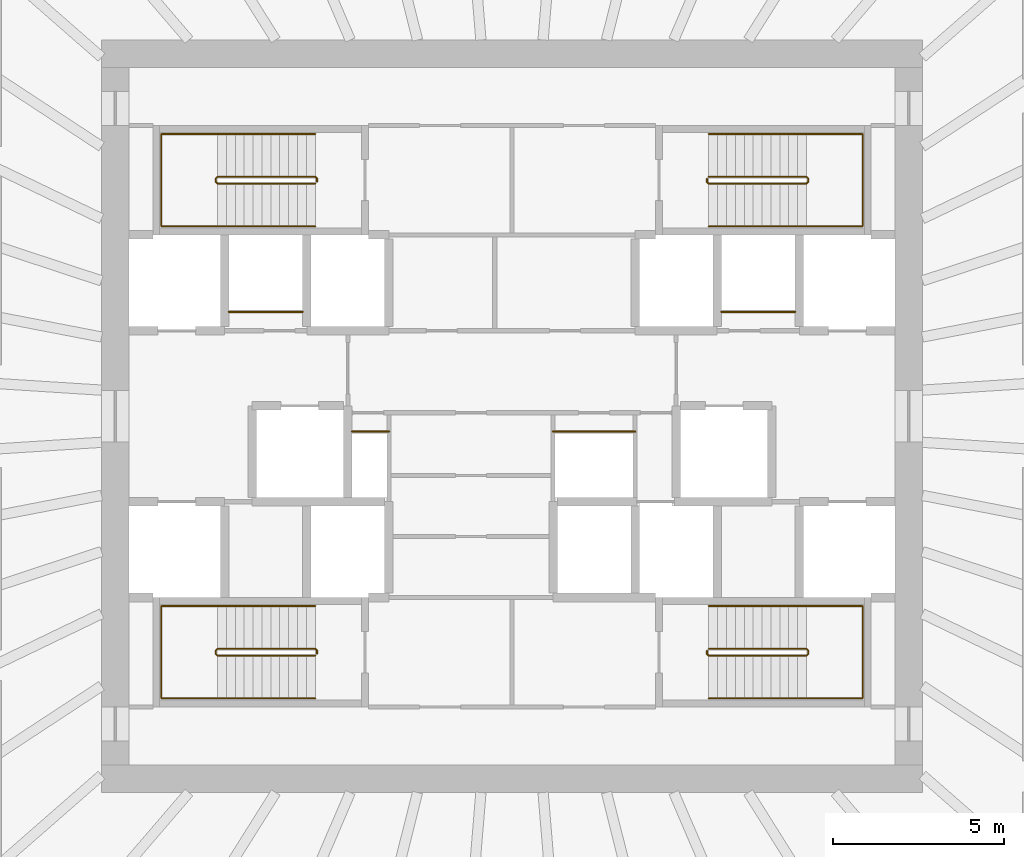
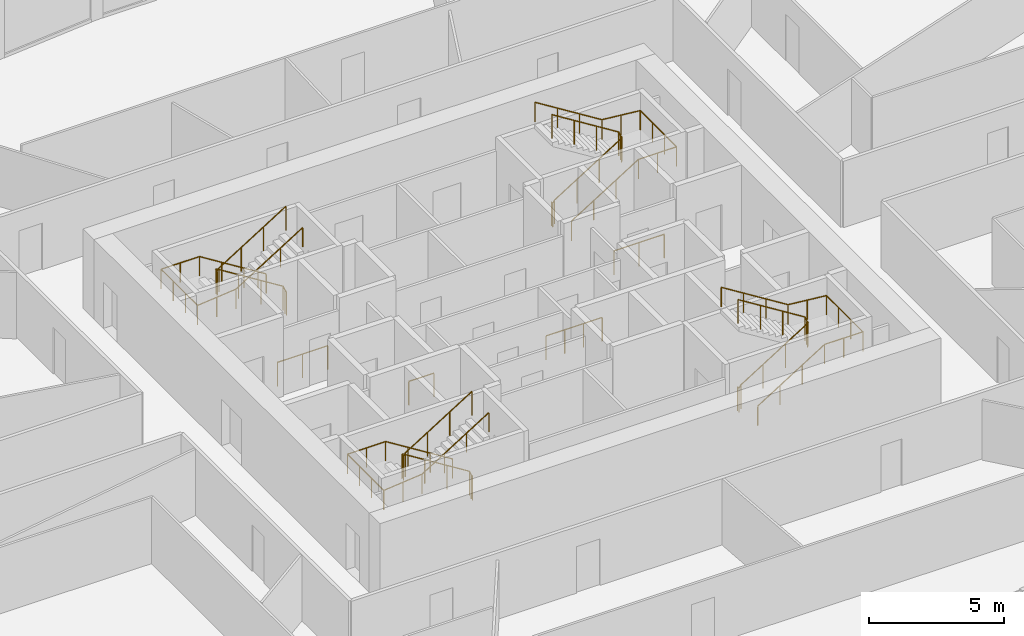
# One storey, part 12 of 12: 12 railings.
"""IFC4 building model written with IfcOpenShell, lengths in metres."""

import ifcopenshell
import ifcopenshell.guid

model = None  # the IFC model being written
_history = None  # IfcOwnerHistory: only IFC2X3 demands one
_inside = {}  # id of a spatial element -> (the spatial element, [elements in it])
_under = {}  # id of a project, library or spatial element -> (it, [spatial elements below it])
_declared = {}  # id of a project -> (the project, [libraries it declares])
_typed = {}  # id of a type object -> (the type object, [elements of that type])
_made_of = {}  # id of a material, layer set ... -> (it, [elements and type objects made of it])


def new_model(schema):
    """Start an empty IFC model of exactly this schema.

    Asked for "IFC4X3", IfcOpenShell would pick the latest addendum, in which some entities
    have other attributes; the version numbers below select the first issue.
    IFC2X3 requires an IfcOwnerHistory on every rooted entity: one is made here for all.
    """
    global model, _history
    if schema == "IFC4X3":
        model = ifcopenshell.file(schema_version=(4, 3, 0, 0))
    else:
        model = ifcopenshell.file(schema=schema)
    _inside.clear()
    _under.clear()
    _declared.clear()
    _typed.clear()
    _made_of.clear()
    _history = None
    if model.schema == "IFC2X3":
        org = make("IfcOrganization", Name="unknown")
        user = make(
            "IfcPersonAndOrganization",
            ThePerson=make("IfcPerson", FamilyName="unknown"),
            TheOrganization=org,
        )
        app = make(
            "IfcApplication",
            ApplicationDeveloper=org,
            Version="unknown",
            ApplicationFullName="unknown",
            ApplicationIdentifier="unknown",
        )
        _history = make(
            "IfcOwnerHistory",
            OwningUser=user,
            OwningApplication=app,
            ChangeAction="ADDED",
            CreationDate=0,
        )
    return model


def make(cls, **values):
    """One entity of the class cls with the attributes given. An attribute that is None is left unset."""
    return model.create_entity(
        cls, **{name: value for name, value in values.items() if value is not None}
    )


def rooted(cls, **values):
    """An entity with a GlobalId (a new one), such as an element, a storey or a relation."""
    return make(cls, GlobalId=ifcopenshell.guid.new(), OwnerHistory=_history, **values)


def si_unit(unit_type, name, prefix=None):
    """IfcSIUnit, for example si_unit("LENGTHUNIT", "METRE", prefix="MILLI")."""
    return make("IfcSIUnit", UnitType=unit_type, Prefix=prefix, Name=name)


def assignment(units):
    """IfcUnitAssignment: the units of a project."""
    return None if units is None else make("IfcUnitAssignment", Units=units)


def point(xyz):
    """IfcCartesianPoint."""
    return None if xyz is None else make("IfcCartesianPoint", Coordinates=xyz)


def direction(xyz):
    """IfcDirection."""
    return None if xyz is None else make("IfcDirection", DirectionRatios=xyz)


def frame(location, z_axis=None, x_axis=None):
    """IfcAxis2Placement3D, a coordinate frame: its origin and axes. An axis left out is left unset."""
    return make(
        "IfcAxis2Placement3D",
        Location=point(location),
        Axis=direction(z_axis),
        RefDirection=direction(x_axis),
    )


def frame_2d(location, x_axis=None):
    """IfcAxis2Placement2D, a coordinate frame in the plane: its origin and x axis."""
    return make(
        "IfcAxis2Placement2D", Location=point(location), RefDirection=direction(x_axis)
    )


def origin():
    """The frame at (0, 0, 0) with its axes left unset."""
    return frame((0.0, 0.0, 0.0))


def origin_2d():
    """The frame at (0, 0) in the plane with its x axis left unset."""
    return frame_2d((0.0, 0.0))


def place(relative_to, where):
    """IfcLocalPlacement: puts the frame where relative to a parent placement (None: the world)."""
    return make(
        "IfcLocalPlacement", PlacementRelTo=relative_to, RelativePlacement=where
    )


def context(
    kind, dimensions, precision=None, world=None, true_north=None, identifier=None
):
    """IfcGeometricRepresentationContext, for example the 3D "Model" context."""
    return make(
        "IfcGeometricRepresentationContext",
        ContextIdentifier=identifier,
        ContextType=kind,
        CoordinateSpaceDimension=dimensions,
        Precision=precision,
        WorldCoordinateSystem=world,
        TrueNorth=true_north,
    )


def subcontext(parent, identifier, kind, view, scale=None):
    """IfcGeometricRepresentationSubContext, for example "Body" below "Model"."""
    return make(
        "IfcGeometricRepresentationSubContext",
        ContextIdentifier=identifier,
        ContextType=kind,
        ParentContext=parent,
        TargetScale=scale,
        TargetView=view,
    )


def project(units=None, contexts=None):
    """IfcProject with its units and contexts."""
    return rooted(
        "IfcProject",
        Name="project",
        RepresentationContexts=contexts,
        UnitsInContext=assignment(units),
    )


def spatial(cls, under=None, at=None, **own):
    """A site, building, storey or space (cls), placed at a placement, below another one or the project."""
    s = rooted(cls, ObjectPlacement=at, **own)
    if under is not None:
        _under.setdefault(under.id(), (under, []))[1].append(s)
    return s


def profile(cls, at=None, kind="AREA", **sizes):
    """A parametric profile (cls). Its sizes go by their IFC names, for example OverallWidth=200.0."""
    return make(cls, ProfileType=kind, Position=at, **sizes)


def circle(**sizes):
    """IfcCircleProfileDef."""
    return profile("IfcCircleProfileDef", **sizes)


def extrude(swept, where, along, depth):
    """IfcExtrudedAreaSolid: the profile swept, set in the frame where, extruded along a direction by depth."""
    return make(
        "IfcExtrudedAreaSolid",
        SweptArea=swept,
        Position=where,
        ExtrudedDirection=direction(along),
        Depth=depth,
    )


def shape(context_of_items, identifier, shape_type, items):
    """IfcShapeRepresentation: the items that make up one representation, for example the "Body"."""
    return make(
        "IfcShapeRepresentation",
        ContextOfItems=context_of_items,
        RepresentationIdentifier=identifier,
        RepresentationType=shape_type,
        Items=items,
    )


def source(mapping_origin, context_of_items, identifier, shape_type, items):
    """IfcRepresentationMap: a shape defined once, which mapped items show again and again."""
    return make(
        "IfcRepresentationMap",
        MappingOrigin=mapping_origin,
        MappedRepresentation=shape(context_of_items, identifier, shape_type, items),
    )


def transform(
    local_origin,
    x_axis=None,
    y_axis=None,
    z_axis=None,
    scale=None,
    scale2=None,
    scale3=None,
    uniform=True,
):
    """IfcCartesianTransformationOperator3D, or its non-uniform kind. x_axis, y_axis, z_axis: its Axis1, 2, 3."""
    if uniform:
        return make(
            "IfcCartesianTransformationOperator3D",
            Axis1=direction(x_axis),
            Axis2=direction(y_axis),
            LocalOrigin=point(local_origin),
            Scale=scale,
            Axis3=direction(z_axis),
        )
    return make(
        "IfcCartesianTransformationOperator3DnonUniform",
        Axis1=direction(x_axis),
        Axis2=direction(y_axis),
        LocalOrigin=point(local_origin),
        Scale=scale,
        Axis3=direction(z_axis),
        Scale2=scale2,
        Scale3=scale3,
    )


def mapped(mapping_source, mapping_target):
    """IfcMappedItem: shows the shape of a source again, moved by a transform."""
    return make(
        "IfcMappedItem", MappingSource=mapping_source, MappingTarget=mapping_target
    )


def material(Name=None, Category=None):
    """IfcMaterial."""
    return make("IfcMaterial", Name=Name, Category=Category)


def made_of(thing, what):
    """Note that an element or type object is made of a material, layer set ...; save() writes the relation."""
    if what is not None:
        _made_of.setdefault(what.id(), (what, []))[1].append(thing)
    return thing


def type_object(cls, material=None, **own):
    """A type object (cls), such as IfcWallType, which elements share."""
    return made_of(rooted(cls, **own), material)


def element(
    cls,
    number,
    at=None,
    inside=None,
    cuts=None,
    type_object=None,
    material=None,
    context=None,
    identifier="Body",
    shape_type=None,
    held_by="IfcProductDefinitionShape",
    body=None,
    shapes=None,
    **own,
):
    """One element of the class cls, such as IfcWall. Its Tag is "e" and its number.

    at: its placement. inside: the storey or other place that contains it. cuts: it is an
    opening in that element (IfcRelVoidsElement). A single representation is given by context,
    identifier, shape_type and body (its items); several are given by shapes. held_by: the class
    of the entity that holds the representations. save() writes the other relations.
    """
    e = rooted(cls, Tag="e%d" % number, ObjectPlacement=at, **own)
    if body is not None:
        shapes = [shape(context, identifier, shape_type, body)]
    if shapes is not None:
        e.Representation = make(held_by, Representations=shapes)
    if inside is not None:
        _inside.setdefault(inside.id(), (inside, []))[1].append(e)
    if cuts is not None:
        rooted(
            "IfcRelVoidsElement", RelatingBuildingElement=cuts, RelatedOpeningElement=e
        )
    if type_object is not None:
        _typed.setdefault(type_object.id(), (type_object, []))[1].append(e)
    return made_of(e, material)


def aggregate(whole, parts):
    """IfcRelAggregates: a whole, such as a stair, and the parts it consists of."""
    return rooted("IfcRelAggregates", RelatingObject=whole, RelatedObjects=parts)


def save(model, path):
    """Write the relations noted so far, then the file.

    IfcRelAggregates (storeys below a building ...), IfcRelContainedInSpatialStructure (elements
    in a storey), IfcRelDefinesByType, IfcRelAssociatesMaterial and IfcRelDeclares: one each for
    every whole, place, type object, material and project.
    """
    for whole, parts in _under.values():
        aggregate(whole, parts)
    for where, things in _inside.values():
        rooted(
            "IfcRelContainedInSpatialStructure",
            RelatedElements=things,
            RelatingStructure=where,
        )
    for kind, things in _typed.values():
        rooted("IfcRelDefinesByType", RelatedObjects=things, RelatingType=kind)
    for what, things in _made_of.values():
        rooted("IfcRelAssociatesMaterial", RelatedObjects=things, RelatingMaterial=what)
    for by, libraries in _declared.values():
        rooted("IfcRelDeclares", RelatingContext=by, RelatedDefinitions=libraries)
    model.write(path)


model = new_model("IFC4")

# Units and contexts
model_context = context("Model", 3, precision=1e-05, world=origin(), true_north=direction((0.0, 1.0)))
body_context = subcontext(model_context, "Body", "Model", "MODEL_VIEW")
ifc_project = project(units=[si_unit("LENGTHUNIT", "METRE"), si_unit("AREAUNIT", "SQUARE_METRE"), si_unit("VOLUMEUNIT", "CUBIC_METRE"), si_unit("PLANEANGLEUNIT", "RADIAN"), si_unit("MASSUNIT", "GRAM", prefix="KILO")], contexts=[model_context])

# Site, building, storey
site_placement = place(None, origin())
site = spatial("IfcSite", under=ifc_project, at=site_placement, CompositionType="ELEMENT")
building_placement = place(site_placement, origin())
building = spatial("IfcBuilding", under=site, at=building_placement, Name="Embergate Tower", CompositionType="ELEMENT")
storey_placement = place(building_placement, frame((0.0, 0.0, 191.10009765625)))
storey = spatial("IfcBuildingStorey", under=building, at=storey_placement, Name="L43", CompositionType="ELEMENT", Elevation=191.10009765625)

# Railings
ifc_material_1 = material(Name="Stair handrail 900")
railing_type_1 = type_object("IfcRailingType", Name="Stair handrail 900", PredefinedType="HANDRAIL", material=ifc_material_1)
shared_shape_1 = source(origin(), body_context, "Body", "SweptSolid", [
    extrude(circle(Radius=0.02392578125, at=origin_2d()), frame((0.0, 0.0, 0.8759765625), z_axis=(-0.847994237388, 0.0, 0.530005446535), x_axis=(0.0, -1.0, 0.0)), (0.0, 0.0, 1.0), 3.372802734375),
    extrude(circle(Radius=0.02392578125, at=origin_2d()), frame((-2.860107421875, 0.0, 2.66357421875), z_axis=(-1.0, 0.0, 0.0), x_axis=(0.0, -1.0, 0.0)), (0.0, 0.0, 1.0), 1.639892578125),
    extrude(circle(Radius=0.02392578125, at=origin_2d()), frame((-4.5, 0.0, 2.66357421875), z_axis=(0.0, -1.0, 0.0), x_axis=(1.0, 0.0, 0.0)), (0.0, 0.0, 1.0), 2.699951171875),
    extrude(circle(Radius=0.02392578125, at=origin_2d()), frame((-4.5, -2.699951171875, 2.66357421875), z_axis=(0.995134983717, 0.0, 0.098520881967), x_axis=(0.0, 1.0, 0.0)), (0.0, 0.0, 1.0), 1.64794921875),
    extrude(circle(Radius=0.02392578125, at=origin_2d()), frame((-2.860107421875, -2.699951171875, 2.82568359375), z_axis=(0.847994237388, 0.0, 0.530005446535), x_axis=(0.0, 1.0, 0.0)), (0.0, 0.0, 1.0), 3.372802734375),
    extrude(circle(Radius=0.02099609375, at=origin_2d()), origin(), (0.0, 0.0, 1.0), 0.851806640625),
    extrude(circle(Radius=0.02099609375, at=origin_2d()), frame((-0.953369140625, 0.0, 0.595947265625)), (0.0, 0.0, 1.0), 0.851806640625),
    extrude(circle(Radius=0.02099609375, at=origin_2d()), frame((-1.90673828125, 0.0, 1.191650390625)), (0.0, 0.0, 1.0), 0.851806640625),
    extrude(circle(Radius=0.02099609375, at=origin_2d()), frame((-2.860107421875, 0.0, 1.78759765625)), (0.0, 0.0, 1.0), 0.851806640625),
    extrude(circle(Radius=0.02099609375, at=origin_2d()), frame((-3.68017578125, 0.0, 1.78759765625)), (0.0, 0.0, 1.0), 0.851806640625),
    extrude(circle(Radius=0.02099609375, at=origin_2d()), frame((-4.5, 0.0, 1.78759765625)), (0.0, 0.0, 1.0), 0.851806640625),
    extrude(circle(Radius=0.02099609375, at=origin_2d()), frame((-4.5, -0.89990234375, 1.78759765625)), (0.0, 0.0, 1.0), 0.851806640625),
    extrude(circle(Radius=0.02099609375, at=origin_2d()), frame((-4.5, -1.800048828125, 1.78759765625)), (0.0, 0.0, 1.0), 0.851806640625),
    extrude(circle(Radius=0.02099609375, at=origin_2d()), frame((-4.5, -2.699951171875, 1.78759765625)), (0.0, 0.0, 1.0), 0.851806640625),
    extrude(circle(Radius=0.02099609375, at=origin_2d()), frame((-3.68017578125, -2.699951171875, 1.86865234375)), (0.0, 0.0, 1.0), 0.851806640625),
    extrude(circle(Radius=0.02099609375, at=origin_2d()), frame((-2.860107421875, -2.699951171875, 1.949951171875)), (0.0, 0.0, 1.0), 0.851806640625),
    extrude(circle(Radius=0.02099609375, at=origin_2d()), frame((-1.90673828125, -2.699951171875, 2.5458984375)), (0.0, 0.0, 1.0), 0.851806640625),
    extrude(circle(Radius=0.02099609375, at=origin_2d()), frame((-0.953369140625, -2.699951171875, 3.1416015625)), (0.0, 0.0, 1.0), 0.851806640625),
    extrude(circle(Radius=0.02099609375, at=origin_2d()), frame((0.0, -2.699951171875, 3.737548828125)), (0.0, 0.0, 1.0), 0.851806640625),
])
for number, where, name in (
    (1, (-5.75, 8.25, 0.162353515625), "L43 ST1 stair handrail 1"),
    (2, (-5.75, -5.550048828125, 0.162353515625), "L43 ST3 stair handrail 1"),
):
    element("IfcRailing", number, at=place(storey_placement, frame(where)), inside=storey, type_object=railing_type_1, Name=name, PredefinedType="HANDRAIL", context=body_context, shape_type="MappedRepresentation", body=[
        mapped(shared_shape_1, transform((0.0, 0.0, 0.0))),
    ])
ifc_material_2 = material(Name="Stair guard 1100")
railing_type_2 = type_object("IfcRailingType", Name="Stair guard 1100", PredefinedType="GUARDRAIL", material=ifc_material_2)
shared_shape_2 = source(origin(), body_context, "Body", "SweptSolid", [
    extrude(circle(Radius=0.02392578125, at=origin_2d()), frame((0.0, 0.0, 1.076171875), z_axis=(0.0, 1.0, 0.0), x_axis=(-1.0, 0.0, 0.0)), (0.0, 0.0, 1.0), 0.099853515625),
    extrude(circle(Radius=0.02392578125, at=origin_2d()), frame((0.0, 0.099853515625, 1.076171875), z_axis=(-0.282583949758, 0.282583949758, 0.916674763849), x_axis=(-0.707106781187, -0.707106781187, 0.0)), (0.0, 0.0, 1.0), 0.177001953125),
    extrude(circle(Radius=0.02392578125, at=origin_2d()), frame((-0.050048828125, 0.14990234375, 1.23828125), z_axis=(-0.847994237388, 0.0, 0.530005446535), x_axis=(0.0, -1.0, 0.0)), (0.0, 0.0, 1.0), 3.372802734375),
    extrude(circle(Radius=0.02392578125, at=origin_2d()), frame((-2.91015625, 0.14990234375, 3.02587890625), z_axis=(-0.705375805398, -0.708833529934, 0.0), x_axis=(0.708833529934, -0.705375805398, 0.0)), (0.0, 0.0, 1.0), 0.070556640625),
    extrude(circle(Radius=0.02392578125, at=origin_2d()), frame((-2.9599609375, 0.099853515625, 3.02587890625), z_axis=(0.0, -1.0, 0.0), x_axis=(1.0, 0.0, 0.0)), (0.0, 0.0, 1.0), 0.099853515625),
    extrude(circle(Radius=0.02392578125, at=origin_2d()), frame((-2.9599609375, 0.0, 3.02587890625), z_axis=(0.281314826061, -0.282693820306, 0.917031173188), x_axis=(0.708833529934, 0.705375805398, 0.0)), (0.0, 0.0, 1.0), 0.177001953125),
    extrude(circle(Radius=0.02392578125, at=origin_2d()), frame((-2.91015625, -0.050048828125, 3.1884765625), z_axis=(0.847994237388, 0.0, 0.530005446535), x_axis=(0.0, 1.0, 0.0)), (0.0, 0.0, 1.0), 3.372802734375),
    extrude(circle(Radius=0.02099609375, at=origin_2d()), origin(), (0.0, 0.0, 1.0), 1.052001953125),
    extrude(circle(Radius=0.02099609375, at=origin_2d()), frame((0.0, 0.099853515625, 0.0)), (0.0, 0.0, 1.0), 1.052001953125),
    extrude(circle(Radius=0.02099609375, at=origin_2d()), frame((-0.050048828125, 0.14990234375, 0.162353515625)), (0.0, 0.0, 1.0), 1.052001953125),
    extrude(circle(Radius=0.02099609375, at=origin_2d()), frame((-1.00341796875, 0.14990234375, 0.75830078125)), (0.0, 0.0, 1.0), 1.052001953125),
    extrude(circle(Radius=0.02099609375, at=origin_2d()), frame((-1.956787109375, 0.14990234375, 1.35400390625)), (0.0, 0.0, 1.0), 1.052001953125),
    extrude(circle(Radius=0.02099609375, at=origin_2d()), frame((-2.91015625, 0.14990234375, 1.949951171875)), (0.0, 0.0, 1.0), 1.052001953125),
    extrude(circle(Radius=0.02099609375, at=origin_2d()), frame((-2.9599609375, 0.099853515625, 1.949951171875)), (0.0, 0.0, 1.0), 1.052001953125),
    extrude(circle(Radius=0.02099609375, at=origin_2d()), frame((-2.9599609375, 0.0, 1.949951171875)), (0.0, 0.0, 1.0), 1.052001953125),
    extrude(circle(Radius=0.02099609375, at=origin_2d()), frame((-2.91015625, -0.050048828125, 2.1123046875)), (0.0, 0.0, 1.0), 1.052001953125),
    extrude(circle(Radius=0.02099609375, at=origin_2d()), frame((-1.956787109375, -0.050048828125, 2.708251953125)), (0.0, 0.0, 1.0), 1.052001953125),
    extrude(circle(Radius=0.02099609375, at=origin_2d()), frame((-1.00341796875, -0.050048828125, 3.303955078125)), (0.0, 0.0, 1.0), 1.052001953125),
    extrude(circle(Radius=0.02099609375, at=origin_2d()), frame((-0.050048828125, -0.050048828125, 3.89990234375)), (0.0, 0.0, 1.0), 1.052001953125),
])
for number, where, name in (
    (3, (-5.699951171875, 6.85009765625, 0.0), "L43 ST1 stair guard 1"),
    (4, (-5.699951171875, -6.949951171875, 0.0), "L43 ST3 stair guard 1"),
):
    element("IfcRailing", number, at=place(storey_placement, frame(where)), inside=storey, type_object=railing_type_2, Name=name, PredefinedType="GUARDRAIL", context=body_context, shape_type="MappedRepresentation", body=[
        mapped(shared_shape_2, transform((0.0, 0.0, 0.0))),
    ])
shared_shape_3 = source(origin(), body_context, "Body", "SweptSolid", [
    extrude(circle(Radius=0.02392578125, at=origin_2d()), frame((0.0, 0.0, 0.8759765625), z_axis=(0.847994237388, 0.0, 0.530005446535), x_axis=(0.0, 1.0, 0.0)), (0.0, 0.0, 1.0), 3.372802734375),
    extrude(circle(Radius=0.02392578125, at=origin_2d()), frame((2.860107421875, 0.0, 2.66357421875), z_axis=(1.0, 0.0, 0.0), x_axis=(0.0, 1.0, 0.0)), (0.0, 0.0, 1.0), 1.639892578125),
    extrude(circle(Radius=0.02392578125, at=origin_2d()), frame((4.5, 0.0, 2.66357421875), z_axis=(0.0, 1.0, 0.0), x_axis=(-1.0, 0.0, 0.0)), (0.0, 0.0, 1.0), 2.699951171875),
    extrude(circle(Radius=0.02392578125, at=origin_2d()), frame((4.5, 2.699951171875, 2.66357421875), z_axis=(-0.995134983717, 0.0, 0.098520881967), x_axis=(0.0, -1.0, 0.0)), (0.0, 0.0, 1.0), 1.64794921875),
    extrude(circle(Radius=0.02392578125, at=origin_2d()), frame((2.860107421875, 2.699951171875, 2.82568359375), z_axis=(-0.847994237388, 0.0, 0.530005446535), x_axis=(0.0, -1.0, 0.0)), (0.0, 0.0, 1.0), 3.372802734375),
    extrude(circle(Radius=0.02099609375, at=origin_2d()), origin(), (0.0, 0.0, 1.0), 0.851806640625),
    extrude(circle(Radius=0.02099609375, at=origin_2d()), frame((0.953369140625, 0.0, 0.595947265625)), (0.0, 0.0, 1.0), 0.851806640625),
    extrude(circle(Radius=0.02099609375, at=origin_2d()), frame((1.90673828125, 0.0, 1.191650390625)), (0.0, 0.0, 1.0), 0.851806640625),
    extrude(circle(Radius=0.02099609375, at=origin_2d()), frame((2.860107421875, 0.0, 1.78759765625)), (0.0, 0.0, 1.0), 0.851806640625),
    extrude(circle(Radius=0.02099609375, at=origin_2d()), frame((3.68017578125, 0.0, 1.78759765625)), (0.0, 0.0, 1.0), 0.851806640625),
    extrude(circle(Radius=0.02099609375, at=origin_2d()), frame((4.5, 0.0, 1.78759765625)), (0.0, 0.0, 1.0), 0.851806640625),
    extrude(circle(Radius=0.02099609375, at=origin_2d()), frame((4.5, 0.89990234375, 1.78759765625)), (0.0, 0.0, 1.0), 0.851806640625),
    extrude(circle(Radius=0.02099609375, at=origin_2d()), frame((4.5, 1.800048828125, 1.78759765625)), (0.0, 0.0, 1.0), 0.851806640625),
    extrude(circle(Radius=0.02099609375, at=origin_2d()), frame((4.5, 2.699951171875, 1.78759765625)), (0.0, 0.0, 1.0), 0.851806640625),
    extrude(circle(Radius=0.02099609375, at=origin_2d()), frame((3.68017578125, 2.699951171875, 1.86865234375)), (0.0, 0.0, 1.0), 0.851806640625),
    extrude(circle(Radius=0.02099609375, at=origin_2d()), frame((2.860107421875, 2.699951171875, 1.949951171875)), (0.0, 0.0, 1.0), 0.851806640625),
    extrude(circle(Radius=0.02099609375, at=origin_2d()), frame((1.90673828125, 2.699951171875, 2.5458984375)), (0.0, 0.0, 1.0), 0.851806640625),
    extrude(circle(Radius=0.02099609375, at=origin_2d()), frame((0.953369140625, 2.699951171875, 3.1416015625)), (0.0, 0.0, 1.0), 0.851806640625),
    extrude(circle(Radius=0.02099609375, at=origin_2d()), frame((0.0, 2.699951171875, 3.737548828125)), (0.0, 0.0, 1.0), 0.851806640625),
])
for number, where, name in (
    (5, (5.75, 5.550048828125, 0.162353515625), "L43 ST2 stair handrail 1"),
    (6, (5.75, -8.25, 0.162353515625), "L43 ST4 stair handrail 1"),
):
    element("IfcRailing", number, at=place(storey_placement, frame(where)), inside=storey, type_object=railing_type_1, Name=name, PredefinedType="HANDRAIL", context=body_context, shape_type="MappedRepresentation", body=[
        mapped(shared_shape_3, transform((0.0, 0.0, 0.0))),
    ])
shared_shape_4 = source(origin(), body_context, "Body", "SweptSolid", [
    extrude(circle(Radius=0.02392578125, at=origin_2d()), frame((0.0, 0.0, 1.076171875), z_axis=(0.0, -1.0, 0.0), x_axis=(1.0, 0.0, 0.0)), (0.0, 0.0, 1.0), 0.099853515625),
    extrude(circle(Radius=0.02392578125, at=origin_2d()), frame((0.0, -0.099853515625, 1.076171875), z_axis=(0.282583949758, -0.282583949758, 0.916674763849), x_axis=(0.707106781187, 0.707106781187, 0.0)), (0.0, 0.0, 1.0), 0.177001953125),
    extrude(circle(Radius=0.02392578125, at=origin_2d()), frame((0.050048828125, -0.14990234375, 1.23828125), z_axis=(0.847994237388, 0.0, 0.530005446535), x_axis=(0.0, 1.0, 0.0)), (0.0, 0.0, 1.0), 3.372802734375),
    extrude(circle(Radius=0.02392578125, at=origin_2d()), frame((2.91015625, -0.14990234375, 3.02587890625), z_axis=(0.705375805398, 0.708833529934, 0.0), x_axis=(-0.708833529934, 0.705375805398, 0.0)), (0.0, 0.0, 1.0), 0.070556640625),
    extrude(circle(Radius=0.02392578125, at=origin_2d()), frame((2.9599609375, -0.099853515625, 3.02587890625), z_axis=(0.0, 1.0, 0.0), x_axis=(-1.0, 0.0, 0.0)), (0.0, 0.0, 1.0), 0.099853515625),
    extrude(circle(Radius=0.02392578125, at=origin_2d()), frame((2.9599609375, 0.0, 3.02587890625), z_axis=(-0.281314826061, 0.282693820306, 0.917031173188), x_axis=(-0.708833529934, -0.705375805398, 0.0)), (0.0, 0.0, 1.0), 0.177001953125),
    extrude(circle(Radius=0.02392578125, at=origin_2d()), frame((2.91015625, 0.050048828125, 3.1884765625), z_axis=(-0.847994237388, 0.0, 0.530005446535), x_axis=(0.0, -1.0, 0.0)), (0.0, 0.0, 1.0), 3.372802734375),
    extrude(circle(Radius=0.02099609375, at=origin_2d()), origin(), (0.0, 0.0, 1.0), 1.052001953125),
    extrude(circle(Radius=0.02099609375, at=origin_2d()), frame((0.0, -0.099853515625, 0.0)), (0.0, 0.0, 1.0), 1.052001953125),
    extrude(circle(Radius=0.02099609375, at=origin_2d()), frame((0.050048828125, -0.14990234375, 0.162353515625)), (0.0, 0.0, 1.0), 1.052001953125),
    extrude(circle(Radius=0.02099609375, at=origin_2d()), frame((1.00341796875, -0.14990234375, 0.75830078125)), (0.0, 0.0, 1.0), 1.052001953125),
    extrude(circle(Radius=0.02099609375, at=origin_2d()), frame((1.956787109375, -0.14990234375, 1.35400390625)), (0.0, 0.0, 1.0), 1.052001953125),
    extrude(circle(Radius=0.02099609375, at=origin_2d()), frame((2.91015625, -0.14990234375, 1.949951171875)), (0.0, 0.0, 1.0), 1.052001953125),
    extrude(circle(Radius=0.02099609375, at=origin_2d()), frame((2.9599609375, -0.099853515625, 1.949951171875)), (0.0, 0.0, 1.0), 1.052001953125),
    extrude(circle(Radius=0.02099609375, at=origin_2d()), frame((2.9599609375, 0.0, 1.949951171875)), (0.0, 0.0, 1.0), 1.052001953125),
    extrude(circle(Radius=0.02099609375, at=origin_2d()), frame((2.91015625, 0.050048828125, 2.1123046875)), (0.0, 0.0, 1.0), 1.052001953125),
    extrude(circle(Radius=0.02099609375, at=origin_2d()), frame((1.956787109375, 0.050048828125, 2.708251953125)), (0.0, 0.0, 1.0), 1.052001953125),
    extrude(circle(Radius=0.02099609375, at=origin_2d()), frame((1.00341796875, 0.050048828125, 3.303955078125)), (0.0, 0.0, 1.0), 1.052001953125),
    extrude(circle(Radius=0.02099609375, at=origin_2d()), frame((0.050048828125, 0.050048828125, 3.89990234375)), (0.0, 0.0, 1.0), 1.052001953125),
])
for number, where, name in (
    (7, (5.699951171875, 6.949951171875, 0.0), "L43 ST2 stair guard 1"),
    (8, (5.699951171875, -6.85009765625, 0.0), "L43 ST4 stair guard 1"),
):
    element("IfcRailing", number, at=place(storey_placement, frame(where)), inside=storey, type_object=railing_type_2, Name=name, PredefinedType="GUARDRAIL", context=body_context, shape_type="MappedRepresentation", body=[
        mapped(shared_shape_4, transform((0.0, 0.0, 0.0))),
    ])
ifc_material_3 = material(Name="Opening guard 1100")
railing_type_3 = type_object("IfcRailingType", Name="Opening guard 1100", PredefinedType="GUARDRAIL", material=ifc_material_3)
shared_shape_5 = source(origin(), body_context, "Body", "SweptSolid", [
    extrude(circle(Radius=0.02392578125, at=origin_2d()), frame((0.0, 0.0, 1.076171875), z_axis=(1.0, 0.0, 0.0), x_axis=(0.0, 1.0, 0.0)), (0.0, 0.0, 1.0), 2.14990234375),
    extrude(circle(Radius=0.02099609375, at=origin_2d()), origin(), (0.0, 0.0, 1.0), 1.052001953125),
    extrude(circle(Radius=0.02099609375, at=origin_2d()), frame((1.074951171875, 0.0, 0.0)), (0.0, 0.0, 1.0), 1.052001953125),
    extrude(circle(Radius=0.02099609375, at=origin_2d()), frame((2.14990234375, 0.0, 0.0)), (0.0, 0.0, 1.0), 1.052001953125),
])
for number, where, name in (
    (9, (-8.27490234375, 3.050048828125, 0.0), "Riser opening guard"),
    (10, (6.125, 3.050048828125, 0.0), "Riser opening guard"),
):
    element("IfcRailing", number, at=place(storey_placement, frame(where)), inside=storey, type_object=railing_type_3, Name=name, PredefinedType="GUARDRAIL", context=body_context, shape_type="MappedRepresentation", body=[
        mapped(shared_shape_5, transform((0.0, 0.0, 0.0))),
    ])
shared_shape_6 = source(origin(), body_context, "Body", "SweptSolid", [
    extrude(circle(Radius=0.02392578125, at=origin_2d()), frame((0.0, 0.0, 1.076171875), z_axis=(1.0, 0.0, 0.0), x_axis=(0.0, 1.0, 0.0)), (0.0, 0.0, 1.0), 1.074951171875),
    extrude(circle(Radius=0.02099609375, at=origin_2d()), origin(), (0.0, 0.0, 1.0), 1.052001953125),
    extrude(circle(Radius=0.02099609375, at=origin_2d()), frame((1.074951171875, 0.0, 0.0)), (0.0, 0.0, 1.0), 1.052001953125),
])
railing_1_placement = place(storey_placement, frame((-4.675048828125, -0.449951171875, 0.0)))
element("IfcRailing", 11, at=railing_1_placement, inside=storey, type_object=railing_type_3, Name="Riser opening guard", PredefinedType="GUARDRAIL", context=body_context, shape_type="MappedRepresentation", body=[
    mapped(shared_shape_6, transform((0.0, 0.0, 0.0))),
])
shared_shape_7 = source(origin(), body_context, "Body", "SweptSolid", [
    extrude(circle(Radius=0.02392578125, at=origin_2d()), frame((0.0, 0.0, 1.076171875), z_axis=(1.0, 0.0, 0.0), x_axis=(0.0, 1.0, 0.0)), (0.0, 0.0, 1.0), 2.400146484375),
    extrude(circle(Radius=0.02099609375, at=origin_2d()), origin(), (0.0, 0.0, 1.0), 1.052001953125),
    extrude(circle(Radius=0.02099609375, at=origin_2d()), frame((0.800048828125, 0.0, 0.0)), (0.0, 0.0, 1.0), 1.052001953125),
    extrude(circle(Radius=0.02099609375, at=origin_2d()), frame((1.60009765625, 0.0, 0.0)), (0.0, 0.0, 1.0), 1.052001953125),
    extrude(circle(Radius=0.02099609375, at=origin_2d()), frame((2.400146484375, 0.0, 0.0)), (0.0, 0.0, 1.0), 1.052001953125),
])
railing_2_placement = place(storey_placement, frame((1.199951171875, -0.449951171875, 0.0)))
element("IfcRailing", 12, at=railing_2_placement, inside=storey, type_object=railing_type_3, Name="Riser opening guard", PredefinedType="GUARDRAIL", context=body_context, shape_type="MappedRepresentation", body=[
    mapped(shared_shape_7, transform((0.0, 0.0, 0.0))),
])

save(model, "model.ifc")
